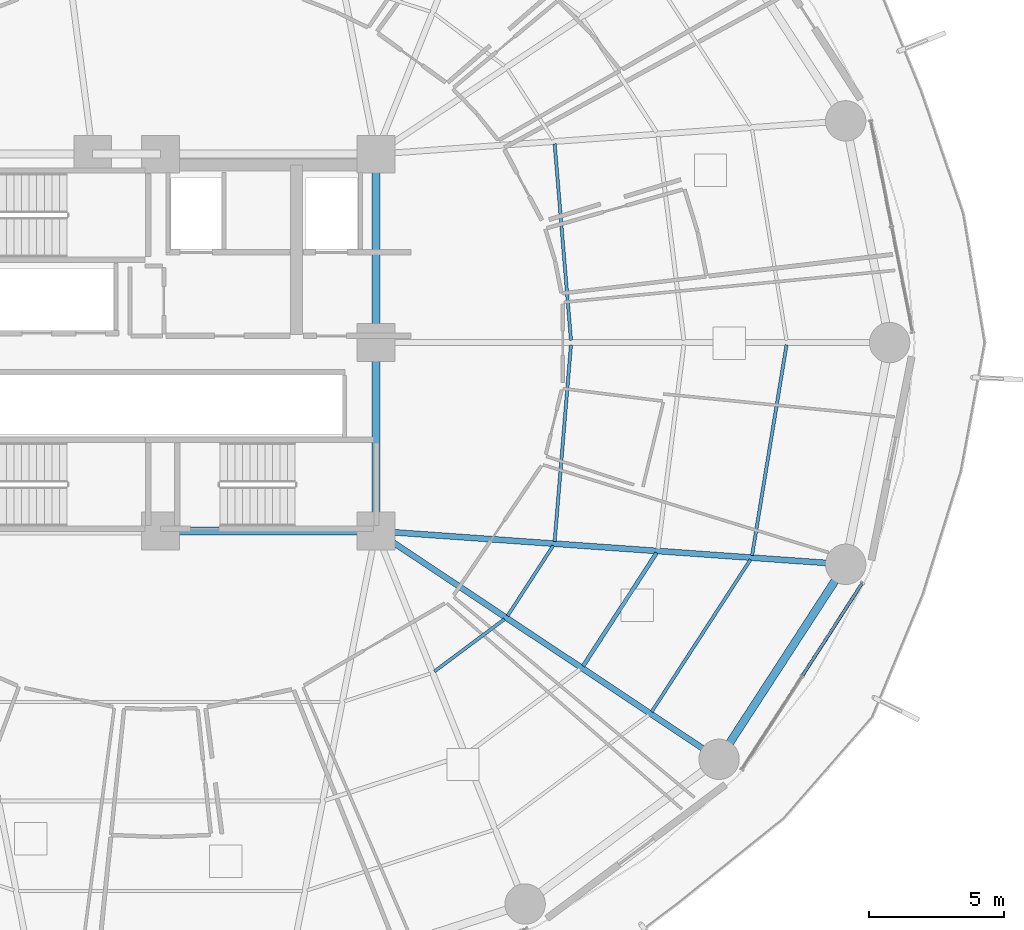
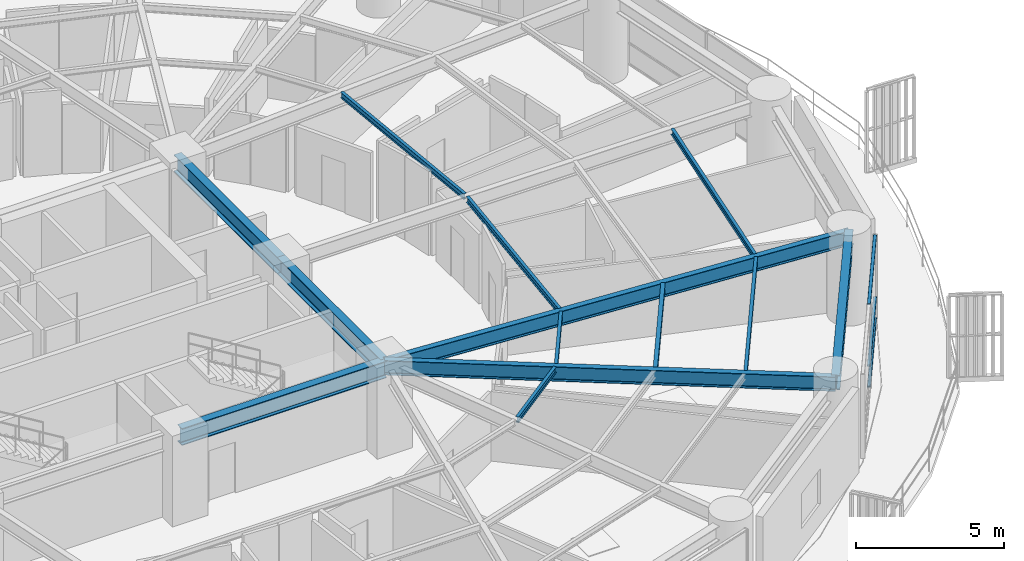
# One storey, part 11 of 33: 13 beams, 3 members, 1 element without a shape of its own.
"""IFC4 building model written with IfcOpenShell, lengths in metres."""

from ifc_helpers import new_model, si_unit, direction, frame, origin, origin_2d, place, context, subcontext, project, spatial, hollow_rectangle, i_section, extrude, material, layer, layer_set, material_profile, profile_set, type_object, element, aggregate, save


model = new_model("IFC4")

# Units and contexts
model_context = context("Model", 3, precision=1e-05, world=origin(), true_north=direction((0.0, 1.0)))
body_context = subcontext(model_context, "Body", "Model", "MODEL_VIEW")
ifc_project = project(units=[si_unit("LENGTHUNIT", "METRE"), si_unit("AREAUNIT", "SQUARE_METRE"), si_unit("VOLUMEUNIT", "CUBIC_METRE"), si_unit("PLANEANGLEUNIT", "RADIAN"), si_unit("MASSUNIT", "GRAM", prefix="KILO")], contexts=[model_context])

# Site, building, storey
site_placement = place(None, origin())
site = spatial("IfcSite", under=ifc_project, at=site_placement, CompositionType="ELEMENT")
building_placement = place(site_placement, origin())
building = spatial("IfcBuilding", under=site, at=building_placement, Name="Kelanora Arch Commons", CompositionType="ELEMENT")
storey_placement = place(building_placement, frame((0.0, 0.0, 45.0)))
storey = spatial("IfcBuildingStorey", under=building, at=storey_placement, Name="L11", CompositionType="ELEMENT", Elevation=45.0)

# Beams
ifc_material_1 = material(Name="Steel S355", Category="steel")
ifc_material_profile_1 = material_profile(ifc_material_1, i_section(OverallWidth=0.300048828125, OverallDepth=0.699951171875, WebThickness=0.01708984375, FlangeThickness=0.031982421875, FilletRadius=0.027099609375, at=origin_2d()), Name="HEB700")
ifc_profile_set_1 = profile_set([ifc_material_profile_1], Name="Steel S355")
beam_type_1 = type_object("IfcBeamType", Name="BM-CORE-HDR", PredefinedType="BEAM", material=ifc_profile_set_1)
beam_1_placement = place(storey_placement, frame((74.0, 51.0, 3.139892578125), z_axis=(1.0, 0.0, 0.0), x_axis=(0.0, 1.0, 0.0)))
element("IfcBeam", 1, at=beam_1_placement, inside=storey, type_object=beam_type_1, Name="Core Header Beam 02 L11", PredefinedType="BEAM", context=body_context, shape_type="SweptSolid", body=[
    extrude(i_section(OverallWidth=0.300048828125, OverallDepth=0.699951171875, WebThickness=0.01708984375, FlangeThickness=0.031982421875, FilletRadius=0.027099609375, at=origin_2d()), origin(), (0.0, 0.0, 1.0), 8.0),
])
for number, where, z_axis, x_axis, name in (
    (2, (82.0, 51.0, 3.139892578125), (0.0, 1.0, 0.0), (-1.0, 0.0, 0.0), "Core Header Beam 03 L11"),
    (3, (82.0, 58.0, 3.139892578125), (0.0, 1.0, 0.0), (-1.0, 0.0, 0.0), "Core Header Beam 04 L11"),
):
    element("IfcBeam", number, at=place(storey_placement, frame(where, z_axis=z_axis, x_axis=x_axis)), inside=storey, type_object=beam_type_1, Name=name, PredefinedType="BEAM", context=body_context, shape_type="SweptSolid", body=[
        extrude(i_section(OverallWidth=0.300048828125, OverallDepth=0.699951171875, WebThickness=0.01708984375, FlangeThickness=0.031982421875, FilletRadius=0.027099609375, at=origin_2d()), origin(), (0.0, 0.0, 1.0), 7.0),
    ])
ifc_material_profile_2 = material_profile(ifc_material_1, i_section(OverallWidth=0.14990234375, OverallDepth=0.300048828125, WebThickness=0.007080078125, FlangeThickness=0.0107421875, FilletRadius=0.014892578125, at=origin_2d()), Name="IPE300")
ifc_profile_set_2 = profile_set([ifc_material_profile_2], Name="Steel S355")
beam_type_2 = type_object("IfcBeamType", Name="BM-JST-01", PredefinedType="JOIST", material=ifc_profile_set_2)
beam_2_placement = place(storey_placement, frame((89.693115234375, 45.984375, 3.340087890625), z_axis=(0.544551588245, 0.838727350061, 0.0), x_axis=(-0.838727350061, 0.544551588245, 0.0)))
element("IfcBeam", 4, at=beam_2_placement, inside=storey, type_object=beam_type_2, Name="Secondary Chord Joist BJB-32 L11", PredefinedType="JOIST", context=body_context, shape_type="SweptSolid", body=[
    extrude(i_section(OverallWidth=0.14990234375, OverallDepth=0.300048828125, WebThickness=0.007080078125, FlangeThickness=0.0107421875, FilletRadius=0.014892578125, at=origin_2d()), origin(), (0.0, 0.0, 1.0), 5.010986328125),
])
ifc_material_profile_3 = material_profile(ifc_material_1, i_section(OverallWidth=0.1201171875, OverallDepth=0.239990234375, WebThickness=0.006103515625, FlangeThickness=0.009765625, FilletRadius=0.014892578125, at=origin_2d()), Name="IPE240")
ifc_profile_set_3 = profile_set([ifc_material_profile_3], Name="Steel S355")
beam_type_3 = type_object("IfcBeamType", Name="BM-JST-02", PredefinedType="JOIST", material=ifc_profile_set_3)
beam_3_placement = place(storey_placement, frame((89.243408203125, 58.084716796875, 3.3701171875), z_axis=(-0.082786209886, 0.996567330115, 0.0), x_axis=(-0.996567330115, -0.082786209886, 0.0)))
element("IfcBeam", 5, at=beam_3_placement, inside=storey, type_object=beam_type_3, Name="Secondary Chord Joist BJA-00 L11", PredefinedType="JOIST", context=body_context, shape_type="SweptSolid", body=[
    extrude(i_section(OverallWidth=0.1201171875, OverallDepth=0.239990234375, WebThickness=0.006103515625, FlangeThickness=0.009765625, FilletRadius=0.014892578125, at=origin_2d()), origin(), (0.0, 0.0, 1.0), 7.325439453125),
])
beam_4_placement = place(storey_placement, frame((84.17333984375, 45.786376953125, 3.3701171875), z_axis=(0.801513822608, 0.59797624716, 0.0), x_axis=(-0.59797624716, 0.801513822608, 0.0)))
element("IfcBeam", 6, at=beam_4_placement, inside=storey, type_object=beam_type_3, Name="Secondary Chord Joist BJA-30 L11", PredefinedType="JOIST", context=body_context, shape_type="SweptSolid", body=[
    extrude(i_section(OverallWidth=0.1201171875, OverallDepth=0.239990234375, WebThickness=0.006103515625, FlangeThickness=0.009765625, FilletRadius=0.014892578125, at=origin_2d()), origin(), (0.0, 0.0, 1.0), 3.245849609375),
])
beam_5_placement = place(storey_placement, frame((86.88916015625, 47.849609375, 3.3701171875), z_axis=(0.544591105858, 0.838701691557, 0.0), x_axis=(-0.838701691557, 0.544591105858, 0.0)))
element("IfcBeam", 7, at=beam_5_placement, inside=storey, type_object=beam_type_3, Name="Secondary Chord Joist BJA-32 L11", PredefinedType="JOIST", context=body_context, shape_type="SweptSolid", body=[
    extrude(i_section(OverallWidth=0.1201171875, OverallDepth=0.239990234375, WebThickness=0.006103515625, FlangeThickness=0.009765625, FilletRadius=0.014892578125, at=origin_2d()), origin(), (0.0, 0.0, 1.0), 3.111328125),
])
beam_6_placement = place(storey_placement, frame((92.241943359375, 44.288818359375, 3.3701171875), z_axis=(0.544550165372, 0.838728273873, 0.0), x_axis=(-0.838728273873, 0.544550165372, 0.0)))
element("IfcBeam", 8, at=beam_6_placement, inside=storey, type_object=beam_type_3, Name="Secondary Chord Joist BJC-32 L11", PredefinedType="JOIST", context=body_context, shape_type="SweptSolid", body=[
    extrude(i_section(OverallWidth=0.1201171875, OverallDepth=0.239990234375, WebThickness=0.006103515625, FlangeThickness=0.009765625, FilletRadius=0.014892578125, at=origin_2d()), origin(), (0.0, 0.0, 1.0), 6.738037109375),
])
beam_7_placement = place(storey_placement, frame((88.636962890625, 50.614990234375, 3.3701171875), z_axis=(0.082786209886, 0.996567330115, 0.0), x_axis=(-0.996567330115, 0.082786209886, 0.0)))
element("IfcBeam", 9, at=beam_7_placement, inside=storey, type_object=beam_type_3, Name="Secondary Chord Joist BJA-34 L11", PredefinedType="JOIST", context=body_context, shape_type="SweptSolid", body=[
    extrude(i_section(OverallWidth=0.1201171875, OverallDepth=0.239990234375, WebThickness=0.006103515625, FlangeThickness=0.009765625, FilletRadius=0.014892578125, at=origin_2d()), origin(), (0.0, 0.0, 1.0), 7.325439453125),
])
beam_8_placement = place(storey_placement, frame((95.97119140625, 50.09521484375, 3.3701171875), z_axis=(0.161400737199, 0.986888951216, 0.0), x_axis=(-0.986888951216, 0.161400737199, 0.0)))
element("IfcBeam", 10, at=beam_8_placement, inside=storey, type_object=beam_type_3, Name="Secondary Chord Joist BJC-34 L11", PredefinedType="JOIST", context=body_context, shape_type="SweptSolid", body=[
    extrude(i_section(OverallWidth=0.1201171875, OverallDepth=0.239990234375, WebThickness=0.006103515625, FlangeThickness=0.009765625, FilletRadius=0.014892578125, at=origin_2d()), origin(), (0.0, 0.0, 1.0), 7.9248046875),
])
ifc_material_profile_4 = material_profile(ifc_material_1, i_section(OverallWidth=0.219970703125, OverallDepth=0.60009765625, WebThickness=0.011962890625, FlangeThickness=0.01904296875, FilletRadius=0.02392578125, at=origin_2d()), Name="IPE600")
ifc_profile_set_4 = profile_set([ifc_material_profile_4], Name="Steel S355")
beam_type_4 = type_object("IfcBeamType", Name="BM-RAD-Z1", PredefinedType="BEAM", material=ifc_profile_set_4)
beam_9_placement = place(storey_placement, frame((82.0, 51.0, 3.18994140625), z_axis=(0.832592187754, -0.553886494591, 0.0), x_axis=(0.553886494591, 0.832592187754, 0.0)))
element("IfcBeam", 11, at=beam_9_placement, inside=storey, type_object=beam_type_4, Name="Radial Floor Girder BR-32 L11", PredefinedType="BEAM", context=body_context, shape_type="SweptSolid", body=[
    extrude(i_section(OverallWidth=0.219970703125, OverallDepth=0.60009765625, WebThickness=0.011962890625, FlangeThickness=0.01904296875, FilletRadius=0.02392578125, at=origin_2d()), origin(), (0.0, 0.0, 1.0), 15.306884765625),
])
beam_10_placement = place(storey_placement, frame((82.0, 51.0, 3.18994140625), z_axis=(0.997500683472, -0.070656821848, 0.0), x_axis=(0.070656821848, 0.997500683472, 0.0)))
element("IfcBeam", 12, at=beam_10_placement, inside=storey, type_object=beam_type_4, Name="Radial Floor Girder BR-34 L11", PredefinedType="BEAM", context=body_context, shape_type="SweptSolid", body=[
    extrude(i_section(OverallWidth=0.219970703125, OverallDepth=0.60009765625, WebThickness=0.011962890625, FlangeThickness=0.01904296875, FilletRadius=0.02392578125, at=origin_2d()), origin(), (0.0, 0.0, 1.0), 17.49072265625),
])
ifc_material_profile_5 = material_profile(ifc_material_1, i_section(OverallWidth=0.300048828125, OverallDepth=0.60009765625, WebThickness=0.015380859375, FlangeThickness=0.030029296875, FilletRadius=0.027099609375, at=origin_2d()), Name="HEB600")
ifc_profile_set_5 = profile_set([ifc_material_profile_5], Name="Steel S355")
beam_type_5 = type_object("IfcBeamType", Name="BM-SPN-Z1", PredefinedType="SPANDREL", material=ifc_profile_set_5)
beam_11_placement = place(storey_placement, frame((94.744384765625, 42.521728515625, 3.18994140625), z_axis=(0.544585813928, 0.838705127722, 0.0), x_axis=(-0.838705127722, 0.544585813928, 0.0)))
element("IfcBeam", 13, at=beam_11_placement, inside=storey, type_object=beam_type_5, Name="Perimeter Spandrel Beam BS-32 L11", PredefinedType="SPANDREL", context=body_context, shape_type="SweptSolid", body=[
    extrude(i_section(OverallWidth=0.300048828125, OverallDepth=0.60009765625, WebThickness=0.015380859375, FlangeThickness=0.030029296875, FilletRadius=0.027099609375, at=origin_2d()), origin(), (0.0, 0.0, 1.0), 8.63525390625),
])

# Curtain wall, members
ifc_material_2 = material(Name="Terracotta ceramic-fritted low-E glass and aluminium", Category="masonry")
ifc_layer = layer(ifc_material_2, 0.159912109375)
ifc_layer_set = layer_set([ifc_layer], Name="Terracotta ceramic-fritted low-E glass and aluminium")
curtain_wall_type = type_object("IfcCurtainWallType", Name="CW-SYS-01", PredefinedType="NOTDEFINED", material=ifc_layer_set)
curtain_wall_placement = place(storey_placement, origin())
curtain_wall = element("IfcCurtainWall", 14, at=curtain_wall_placement, inside=storey, type_object=curtain_wall_type, Name="Unitised Curtain Wall L11-B16", PredefinedType="NOTDEFINED")
ifc_material_3 = material(Name="Powder-coated aluminium terracotta", Category="masonry")
ifc_material_profile_6 = material_profile(ifc_material_3, hollow_rectangle(XDim=0.1201171875, YDim=0.06005859375, WallThickness=0.0048828125, InnerFilletRadius=0.0048828125, OuterFilletRadius=0.010009765625, at=origin_2d()), Name="CWT120x60")
ifc_profile_set_6 = profile_set([ifc_material_profile_6], Name="Powder-coated aluminium terracotta")
member_type = type_object("IfcMemberType", Name="CWT-STD", PredefinedType="USERDEFINED", material=ifc_profile_set_6)
member_1_placement = place(storey_placement, frame((97.84716796875, 45.638671875, 0.030029296875), z_axis=(0.542997414293, 0.839734367566, 0.0), x_axis=(-0.839734367566, 0.542997414293, 0.0)))
member_1 = element("IfcMember", 15, at=member_1_placement, type_object=member_type, Name="CW-01 transom 2.1", ObjectType="TRANSOM", PredefinedType="USERDEFINED", context=body_context, shape_type="SweptSolid", body=[
    extrude(hollow_rectangle(XDim=0.1201171875, YDim=0.06005859375, WallThickness=0.0048828125, InnerFilletRadius=0.0048828125, OuterFilletRadius=0.010009765625, at=origin_2d()), origin(), (0.0, 0.0, 1.0), 4.067626953125),
])
member_2_placement = place(storey_placement, frame((97.84716796875, 45.638671875, 0.89990234375), z_axis=(0.542997414293, 0.839734367566, 0.0), x_axis=(-0.839734367566, 0.542997414293, 0.0)))
member_2 = element("IfcMember", 16, at=member_2_placement, type_object=member_type, Name="CW-01 transom 2.2", ObjectType="TRANSOM", PredefinedType="USERDEFINED", context=body_context, shape_type="SweptSolid", body=[
    extrude(hollow_rectangle(XDim=0.1201171875, YDim=0.06005859375, WallThickness=0.0048828125, InnerFilletRadius=0.0048828125, OuterFilletRadius=0.010009765625, at=origin_2d()), origin(), (0.0, 0.0, 1.0), 4.067626953125),
])
member_3_placement = place(storey_placement, frame((97.84716796875, 45.638671875, 3.445068359375), z_axis=(0.542997414293, 0.839734367566, 0.0), x_axis=(-0.839734367566, 0.542997414293, 0.0)))
member_3 = element("IfcMember", 17, at=member_3_placement, type_object=member_type, Name="CW-01 transom 2.3", ObjectType="TRANSOM", PredefinedType="USERDEFINED", context=body_context, shape_type="SweptSolid", body=[
    extrude(hollow_rectangle(XDim=0.1201171875, YDim=0.06005859375, WallThickness=0.0048828125, InnerFilletRadius=0.0048828125, OuterFilletRadius=0.010009765625, at=origin_2d()), origin(), (0.0, 0.0, 1.0), 4.067626953125),
])
aggregate(curtain_wall, [member_1, member_2, member_3])

save(model, "model.ifc")
